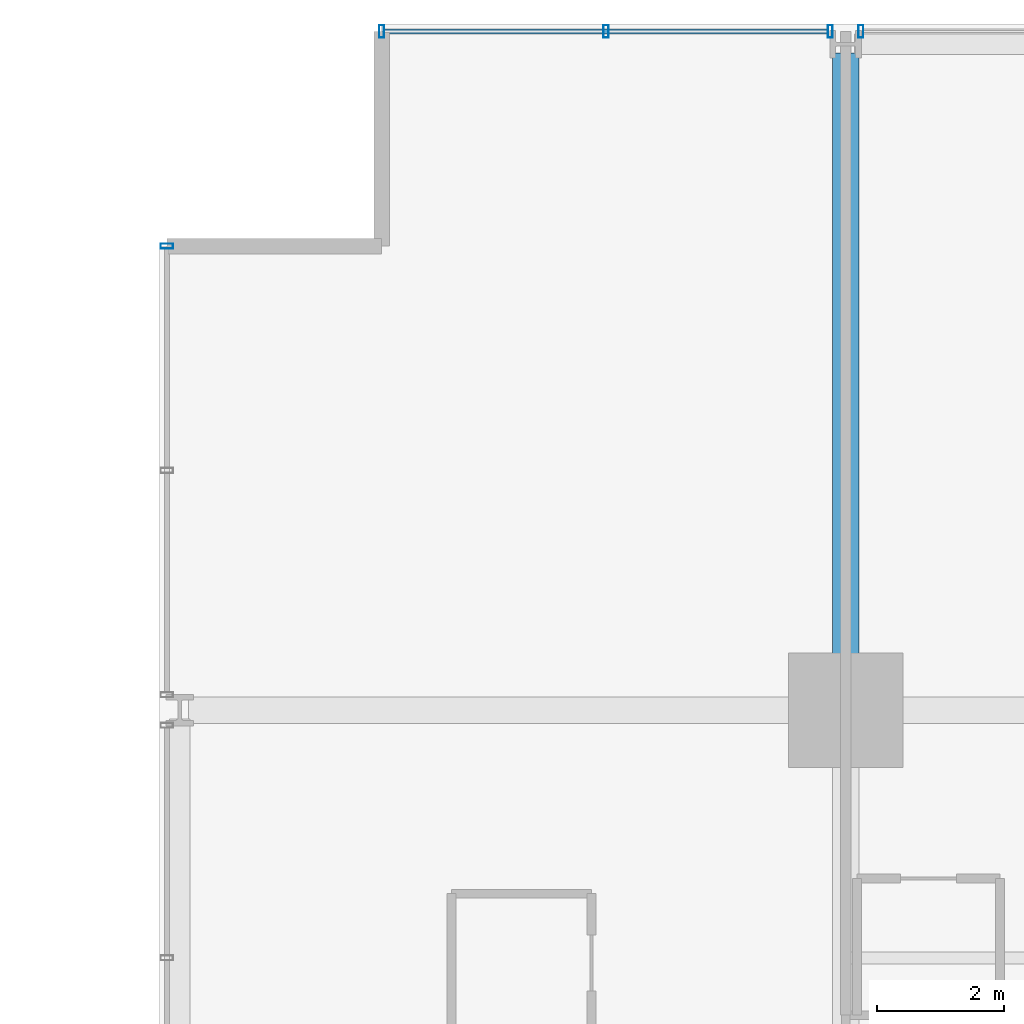
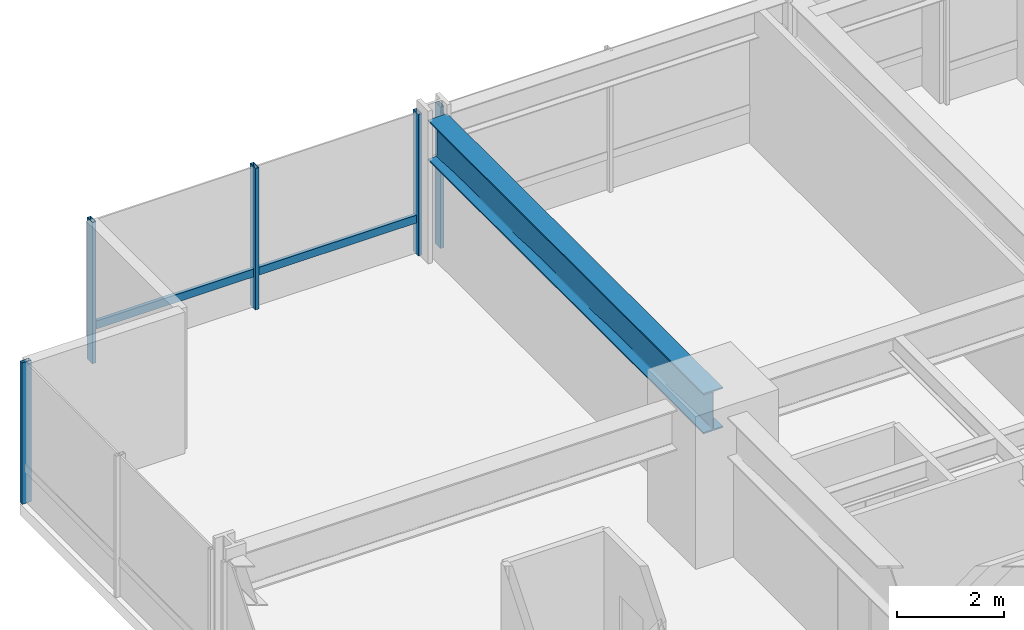
# One storey, part 21 of 39: 6 members, 1 beam, 3 elements without a shape of their own.
"""IFC4 building model written with IfcOpenShell, lengths in metres."""

import ifcopenshell
import ifcopenshell.guid

model = None  # the IFC model being written
_history = None  # IfcOwnerHistory: only IFC2X3 demands one
_inside = {}  # id of a spatial element -> (the spatial element, [elements in it])
_under = {}  # id of a project, library or spatial element -> (it, [spatial elements below it])
_declared = {}  # id of a project -> (the project, [libraries it declares])
_typed = {}  # id of a type object -> (the type object, [elements of that type])
_made_of = {}  # id of a material, layer set ... -> (it, [elements and type objects made of it])


def new_model(schema):
    """Start an empty IFC model of exactly this schema.

    Asked for "IFC4X3", IfcOpenShell would pick the latest addendum, in which some entities
    have other attributes; the version numbers below select the first issue.
    IFC2X3 requires an IfcOwnerHistory on every rooted entity: one is made here for all.
    """
    global model, _history
    if schema == "IFC4X3":
        model = ifcopenshell.file(schema_version=(4, 3, 0, 0))
    else:
        model = ifcopenshell.file(schema=schema)
    _inside.clear()
    _under.clear()
    _declared.clear()
    _typed.clear()
    _made_of.clear()
    _history = None
    if model.schema == "IFC2X3":
        org = make("IfcOrganization", Name="unknown")
        user = make(
            "IfcPersonAndOrganization",
            ThePerson=make("IfcPerson", FamilyName="unknown"),
            TheOrganization=org,
        )
        app = make(
            "IfcApplication",
            ApplicationDeveloper=org,
            Version="unknown",
            ApplicationFullName="unknown",
            ApplicationIdentifier="unknown",
        )
        _history = make(
            "IfcOwnerHistory",
            OwningUser=user,
            OwningApplication=app,
            ChangeAction="ADDED",
            CreationDate=0,
        )
    return model


def make(cls, **values):
    """One entity of the class cls with the attributes given. An attribute that is None is left unset."""
    return model.create_entity(
        cls, **{name: value for name, value in values.items() if value is not None}
    )


def rooted(cls, **values):
    """An entity with a GlobalId (a new one), such as an element, a storey or a relation."""
    return make(cls, GlobalId=ifcopenshell.guid.new(), OwnerHistory=_history, **values)


def si_unit(unit_type, name, prefix=None):
    """IfcSIUnit, for example si_unit("LENGTHUNIT", "METRE", prefix="MILLI")."""
    return make("IfcSIUnit", UnitType=unit_type, Prefix=prefix, Name=name)


def assignment(units):
    """IfcUnitAssignment: the units of a project."""
    return None if units is None else make("IfcUnitAssignment", Units=units)


def point(xyz):
    """IfcCartesianPoint."""
    return None if xyz is None else make("IfcCartesianPoint", Coordinates=xyz)


def direction(xyz):
    """IfcDirection."""
    return None if xyz is None else make("IfcDirection", DirectionRatios=xyz)


def frame(location, z_axis=None, x_axis=None):
    """IfcAxis2Placement3D, a coordinate frame: its origin and axes. An axis left out is left unset."""
    return make(
        "IfcAxis2Placement3D",
        Location=point(location),
        Axis=direction(z_axis),
        RefDirection=direction(x_axis),
    )


def frame_2d(location, x_axis=None):
    """IfcAxis2Placement2D, a coordinate frame in the plane: its origin and x axis."""
    return make(
        "IfcAxis2Placement2D", Location=point(location), RefDirection=direction(x_axis)
    )


def origin():
    """The frame at (0, 0, 0) with its axes left unset."""
    return frame((0.0, 0.0, 0.0))


def origin_2d():
    """The frame at (0, 0) in the plane with its x axis left unset."""
    return frame_2d((0.0, 0.0))


def place(relative_to, where):
    """IfcLocalPlacement: puts the frame where relative to a parent placement (None: the world)."""
    return make(
        "IfcLocalPlacement", PlacementRelTo=relative_to, RelativePlacement=where
    )


def context(
    kind, dimensions, precision=None, world=None, true_north=None, identifier=None
):
    """IfcGeometricRepresentationContext, for example the 3D "Model" context."""
    return make(
        "IfcGeometricRepresentationContext",
        ContextIdentifier=identifier,
        ContextType=kind,
        CoordinateSpaceDimension=dimensions,
        Precision=precision,
        WorldCoordinateSystem=world,
        TrueNorth=true_north,
    )


def subcontext(parent, identifier, kind, view, scale=None):
    """IfcGeometricRepresentationSubContext, for example "Body" below "Model"."""
    return make(
        "IfcGeometricRepresentationSubContext",
        ContextIdentifier=identifier,
        ContextType=kind,
        ParentContext=parent,
        TargetScale=scale,
        TargetView=view,
    )


def project(units=None, contexts=None):
    """IfcProject with its units and contexts."""
    return rooted(
        "IfcProject",
        Name="project",
        RepresentationContexts=contexts,
        UnitsInContext=assignment(units),
    )


def spatial(cls, under=None, at=None, **own):
    """A site, building, storey or space (cls), placed at a placement, below another one or the project."""
    s = rooted(cls, ObjectPlacement=at, **own)
    if under is not None:
        _under.setdefault(under.id(), (under, []))[1].append(s)
    return s


def profile(cls, at=None, kind="AREA", **sizes):
    """A parametric profile (cls). Its sizes go by their IFC names, for example OverallWidth=200.0."""
    return make(cls, ProfileType=kind, Position=at, **sizes)


def hollow_rectangle(**sizes):
    """IfcRectangleHollowProfileDef."""
    return profile("IfcRectangleHollowProfileDef", **sizes)


def i_section(**sizes):
    """IfcIShapeProfileDef."""
    return profile("IfcIShapeProfileDef", **sizes)


def extrude(swept, where, along, depth):
    """IfcExtrudedAreaSolid: the profile swept, set in the frame where, extruded along a direction by depth."""
    return make(
        "IfcExtrudedAreaSolid",
        SweptArea=swept,
        Position=where,
        ExtrudedDirection=direction(along),
        Depth=depth,
    )


def shape(context_of_items, identifier, shape_type, items):
    """IfcShapeRepresentation: the items that make up one representation, for example the "Body"."""
    return make(
        "IfcShapeRepresentation",
        ContextOfItems=context_of_items,
        RepresentationIdentifier=identifier,
        RepresentationType=shape_type,
        Items=items,
    )


def material(Name=None, Category=None):
    """IfcMaterial."""
    return make("IfcMaterial", Name=Name, Category=Category)


def layer(
    of_material, thickness, ventilated=None, Name=None, Category=None, Priority=None
):
    """IfcMaterialLayer: one layer of a wall or slab, of a material (None: an air gap)."""
    return make(
        "IfcMaterialLayer",
        Material=of_material,
        LayerThickness=thickness,
        IsVentilated=ventilated,
        Name=Name,
        Category=Category,
        Priority=Priority,
    )


def layer_set(layers, Name=None):
    """IfcMaterialLayerSet."""
    return make("IfcMaterialLayerSet", MaterialLayers=layers, LayerSetName=Name)


def material_profile(
    of_material, cross_section, Name=None, Category=None, Priority=None
):
    """IfcMaterialProfile: a cross section and its material."""
    return make(
        "IfcMaterialProfile",
        Name=Name,
        Material=of_material,
        Profile=cross_section,
        Priority=Priority,
        Category=Category,
    )


def profile_set(profiles, Name=None, composite=None):
    """IfcMaterialProfileSet."""
    return make(
        "IfcMaterialProfileSet",
        Name=Name,
        MaterialProfiles=profiles,
        CompositeProfile=composite,
    )


def made_of(thing, what):
    """Note that an element or type object is made of a material, layer set ...; save() writes the relation."""
    if what is not None:
        _made_of.setdefault(what.id(), (what, []))[1].append(thing)
    return thing


def type_object(cls, material=None, **own):
    """A type object (cls), such as IfcWallType, which elements share."""
    return made_of(rooted(cls, **own), material)


def element(
    cls,
    number,
    at=None,
    inside=None,
    cuts=None,
    type_object=None,
    material=None,
    context=None,
    identifier="Body",
    shape_type=None,
    held_by="IfcProductDefinitionShape",
    body=None,
    shapes=None,
    **own,
):
    """One element of the class cls, such as IfcWall. Its Tag is "e" and its number.

    at: its placement. inside: the storey or other place that contains it. cuts: it is an
    opening in that element (IfcRelVoidsElement). A single representation is given by context,
    identifier, shape_type and body (its items); several are given by shapes. held_by: the class
    of the entity that holds the representations. save() writes the other relations.
    """
    e = rooted(cls, Tag="e%d" % number, ObjectPlacement=at, **own)
    if body is not None:
        shapes = [shape(context, identifier, shape_type, body)]
    if shapes is not None:
        e.Representation = make(held_by, Representations=shapes)
    if inside is not None:
        _inside.setdefault(inside.id(), (inside, []))[1].append(e)
    if cuts is not None:
        rooted(
            "IfcRelVoidsElement", RelatingBuildingElement=cuts, RelatedOpeningElement=e
        )
    if type_object is not None:
        _typed.setdefault(type_object.id(), (type_object, []))[1].append(e)
    return made_of(e, material)


def aggregate(whole, parts):
    """IfcRelAggregates: a whole, such as a stair, and the parts it consists of."""
    return rooted("IfcRelAggregates", RelatingObject=whole, RelatedObjects=parts)


def save(model, path):
    """Write the relations noted so far, then the file.

    IfcRelAggregates (storeys below a building ...), IfcRelContainedInSpatialStructure (elements
    in a storey), IfcRelDefinesByType, IfcRelAssociatesMaterial and IfcRelDeclares: one each for
    every whole, place, type object, material and project.
    """
    for whole, parts in _under.values():
        aggregate(whole, parts)
    for where, things in _inside.values():
        rooted(
            "IfcRelContainedInSpatialStructure",
            RelatedElements=things,
            RelatingStructure=where,
        )
    for kind, things in _typed.values():
        rooted("IfcRelDefinesByType", RelatedObjects=things, RelatingType=kind)
    for what, things in _made_of.values():
        rooted("IfcRelAssociatesMaterial", RelatedObjects=things, RelatingMaterial=what)
    for by, libraries in _declared.values():
        rooted("IfcRelDeclares", RelatingContext=by, RelatedDefinitions=libraries)
    model.write(path)


model = new_model("IFC4")

# Units and contexts
model_context = context("Model", 3, precision=1e-05, world=origin(), true_north=direction((0.0, 1.0)))
body_context = subcontext(model_context, "Body", "Model", "MODEL_VIEW")
ifc_project = project(units=[si_unit("LENGTHUNIT", "METRE"), si_unit("AREAUNIT", "SQUARE_METRE"), si_unit("VOLUMEUNIT", "CUBIC_METRE"), si_unit("PLANEANGLEUNIT", "RADIAN"), si_unit("MASSUNIT", "GRAM", prefix="KILO")], contexts=[model_context])

# Site, building, storey
site_placement = place(None, origin())
site = spatial("IfcSite", under=ifc_project, at=site_placement, CompositionType="ELEMENT")
building_placement = place(site_placement, origin())
building = spatial("IfcBuilding", under=site, at=building_placement, Name="Drelvath Grand Hotel", CompositionType="ELEMENT")
storey_placement = place(building_placement, frame((0.0, 0.0, 54.199951171875)))
storey = spatial("IfcBuildingStorey", under=building, at=storey_placement, Name="L12", CompositionType="ELEMENT", Elevation=54.199951171875)

# Curtain wall, member
ifc_material_1 = material(Name="Warm Bronze Anodised Aluminium Frame", Category="aluminium")
ifc_layer = layer(ifc_material_1, 0.199951171875)
ifc_layer_set = layer_set([ifc_layer], Name="Warm Bronze Anodised Aluminium Frame")
curtain_wall_type = type_object("IfcCurtainWallType", Name="Stick Curtain Wall CW-02 Warm Bronze Low-Rise", PredefinedType="NOTDEFINED", material=ifc_layer_set)
curtain_wall_1_placement = place(storey_placement, origin())
curtain_wall_1 = element("IfcCurtainWall", 1, at=curtain_wall_1_placement, inside=storey, type_object=curtain_wall_type, Name="L12 CW-02 Curtain Wall CW02-L12-NW1", PredefinedType="NOTDEFINED")
ifc_material_profile_1 = material_profile(ifc_material_1, hollow_rectangle(XDim=0.074951171875, YDim=0.179931640625, WallThickness=0.0048828125, at=origin_2d()), Name="HSS180X75X5")
ifc_profile_set_1 = profile_set([ifc_material_profile_1], Name="Warm Bronze Anodised Aluminium Frame")
member_type_1 = type_object("IfcMemberType", Name="Curtain Wall Horizontal Transom CW-02 HSS180X75X5", PredefinedType="USERDEFINED", material=ifc_profile_set_1)
member_1_placement = place(storey_placement, frame((-23.4599609375, 53.8798828125, 0.81005859375), z_axis=(1.0, 0.0, 0.0), x_axis=(0.0, 1.0, 0.0)))
member_1 = element("IfcMember", 2, at=member_1_placement, type_object=member_type_1, Name="CW02-L12-NW1 Sill Transom", ObjectType="TRANSOM", PredefinedType="USERDEFINED", context=body_context, shape_type="SweptSolid", body=[
    extrude(hollow_rectangle(XDim=0.074951171875, YDim=0.179931640625, WallThickness=0.0048828125, at=origin_2d()), origin(), (0.0, 0.0, 1.0), 6.97900390625),
])

curtain_wall_2_placement = place(storey_placement, origin())
curtain_wall_2 = element("IfcCurtainWall", 3, at=curtain_wall_2_placement, inside=storey, type_object=curtain_wall_type, Name="L12 CW-02 Curtain Wall CW02-L12-WN3", PredefinedType="NOTDEFINED")
ifc_material_profile_2 = material_profile(ifc_material_1, hollow_rectangle(XDim=0.080078125, YDim=0.199951171875, WallThickness=0.0048828125, at=origin_2d()), Name="HSS200X80X5")
ifc_profile_set_2 = profile_set([ifc_material_profile_2], Name="Warm Bronze Anodised Aluminium Frame")
member_type_2 = type_object("IfcMemberType", Name="Curtain Wall Vertical Mullion CW-02 HSS200X80X5", PredefinedType="MULLION", material=ifc_profile_set_2)
member_2_placement = place(storey_placement, frame((-26.8798828125, 50.5, 0.0), z_axis=(0.0, 0.0, 1.0), x_axis=(0.0, 1.0, 0.0)))
member_2 = element("IfcMember", 4, at=member_2_placement, type_object=member_type_2, Name="CW02-L12-WN3 Mullion 3", PredefinedType="MULLION", context=body_context, shape_type="SweptSolid", body=[
    extrude(hollow_rectangle(XDim=0.080078125, YDim=0.199951171875, WallThickness=0.0048828125, at=origin_2d()), origin(), (0.0, 0.0, 1.0), 3.239990234375),
])
aggregate(curtain_wall_2, [member_2])

# Member
member_3_placement = place(storey_placement, frame((-23.5, 53.8798828125, 0.0), z_axis=(0.0, 0.0, 1.0), x_axis=(1.0, 0.0, 0.0)))
member_3 = element("IfcMember", 5, at=member_3_placement, type_object=member_type_2, Name="CW02-L12-NW1 Mullion 1", PredefinedType="MULLION", context=body_context, shape_type="SweptSolid", body=[
    extrude(hollow_rectangle(XDim=0.080078125, YDim=0.199951171875, WallThickness=0.0048828125, at=origin_2d()), origin(), (0.0, 0.0, 1.0), 3.239990234375),
])

member_4_placement = place(storey_placement, frame((-19.970458984375, 53.8798828125, 0.0), z_axis=(0.0, 0.0, 1.0), x_axis=(1.0, 0.0, 0.0)))
member_4 = element("IfcMember", 6, at=member_4_placement, type_object=member_type_2, Name="CW02-L12-NW1 Mullion 2", PredefinedType="MULLION", context=body_context, shape_type="SweptSolid", body=[
    extrude(hollow_rectangle(XDim=0.080078125, YDim=0.199951171875, WallThickness=0.0048828125, at=origin_2d()), origin(), (0.0, 0.0, 1.0), 3.239990234375),
])

member_5_placement = place(storey_placement, frame((-16.44091796875, 53.8798828125, 0.0), z_axis=(0.0, 0.0, 1.0), x_axis=(1.0, 0.0, 0.0)))
member_5 = element("IfcMember", 7, at=member_5_placement, type_object=member_type_2, Name="CW02-L12-NW1 Mullion 3", PredefinedType="MULLION", context=body_context, shape_type="SweptSolid", body=[
    extrude(hollow_rectangle(XDim=0.080078125, YDim=0.199951171875, WallThickness=0.0048828125, at=origin_2d()), origin(), (0.0, 0.0, 1.0), 3.239990234375),
])

aggregate(curtain_wall_1, [member_3, member_4, member_5, member_1])

# Curtain wall, member
curtain_wall_3_placement = place(storey_placement, origin())
curtain_wall_3 = element("IfcCurtainWall", 8, at=curtain_wall_3_placement, inside=storey, type_object=curtain_wall_type, Name="L12 CW-02 Curtain Wall CW02-L12-NW2", PredefinedType="NOTDEFINED")
member_6_placement = place(storey_placement, frame((-15.958984375, 53.8798828125, 0.0), z_axis=(0.0, 0.0, 1.0), x_axis=(1.0, 0.0, 0.0)))
member_6 = element("IfcMember", 9, at=member_6_placement, type_object=member_type_2, Name="CW02-L12-NW2 Mullion 1", PredefinedType="MULLION", context=body_context, shape_type="SweptSolid", body=[
    extrude(hollow_rectangle(XDim=0.080078125, YDim=0.199951171875, WallThickness=0.0048828125, at=origin_2d()), origin(), (0.0, 0.0, 1.0), 3.239990234375),
])
aggregate(curtain_wall_3, [member_6])

# Beam
ifc_material_2 = material(Name="Steel ASTM A992 Gr 50", Category="steel")
ifc_material_profile_3 = material_profile(ifc_material_2, i_section(OverallWidth=0.418212890625, OverallDepth=0.926513671875, WebThickness=0.019287109375, FlangeThickness=0.031982421875, FilletRadius=0.028076171875, at=origin_2d()), Name="W36X231")
ifc_profile_set_3 = profile_set([ifc_material_profile_3], Name="Steel ASTM A992 Gr 50")
beam_type = type_object("IfcBeamType", Name="Primary Floor Girder W36X231", PredefinedType="BEAM", material=ifc_profile_set_3)
beam_placement = place(storey_placement, frame((-16.199951171875, 43.199951171875, 2.77685546875), z_axis=(0.0, 1.0, 0.0), x_axis=(-1.0, 0.0, 0.0)))
element("IfcBeam", 10, at=beam_placement, inside=storey, type_object=beam_type, Name="L12 North Grid Girder 3", PredefinedType="BEAM", context=body_context, shape_type="SweptSolid", body=[
    extrude(i_section(OverallWidth=0.418212890625, OverallDepth=0.926513671875, WebThickness=0.019287109375, FlangeThickness=0.031982421875, FilletRadius=0.028076171875, at=origin_2d()), origin(), (0.0, 0.0, 1.0), 10.340087890625),
])

save(model, "model.ifc")
